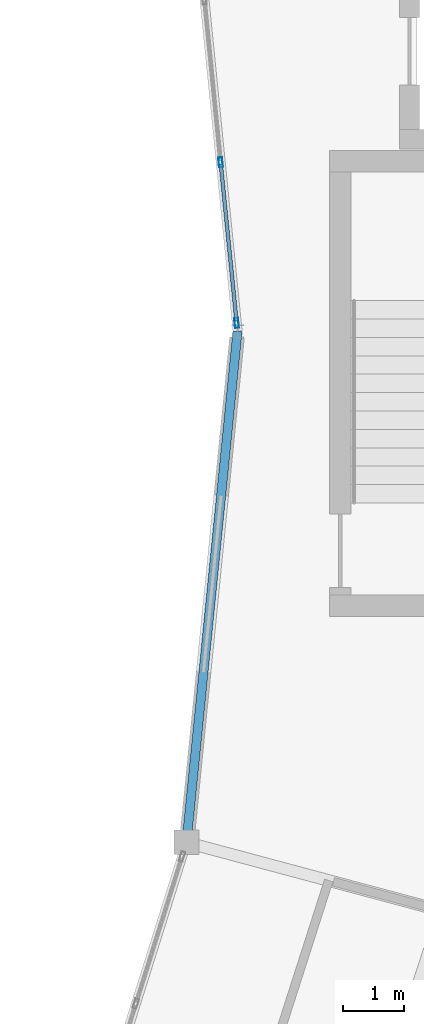
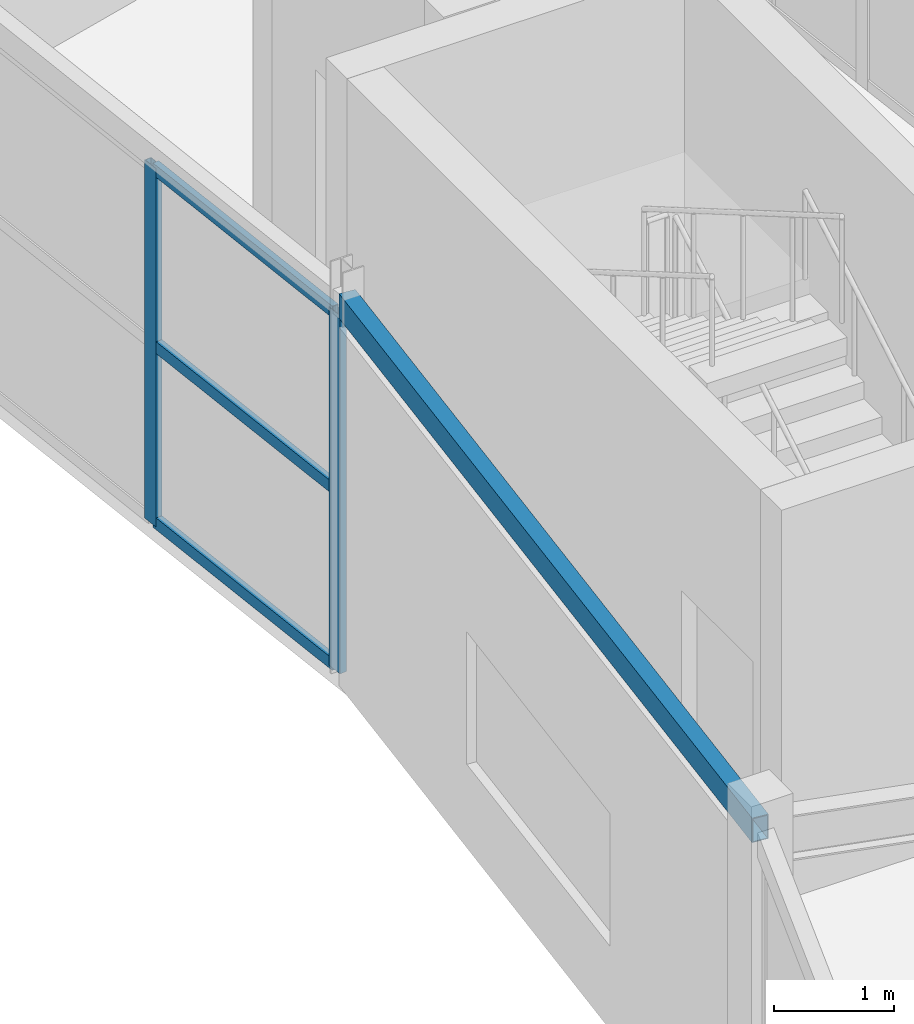
# One storey, part 71 of 157: 5 members, 1 beam, 1 element without a shape of its own.
"""IFC4 building model written with IfcOpenShell, lengths in metres."""

from ifc_helpers import new_model, si_unit, direction, frame, origin, origin_2d, place, context, subcontext, project, spatial, hollow_rectangle, extrude, material, material_profile, profile_set, type_object, element, aggregate, save


model = new_model("IFC4")

# Units and contexts
model_context = context("Model", 3, precision=1e-05, world=origin(), true_north=direction((0.0, 1.0)))
body_context = subcontext(model_context, "Body", "Model", "MODEL_VIEW")
ifc_project = project(units=[si_unit("LENGTHUNIT", "METRE"), si_unit("AREAUNIT", "SQUARE_METRE"), si_unit("VOLUMEUNIT", "CUBIC_METRE"), si_unit("PLANEANGLEUNIT", "RADIAN"), si_unit("MASSUNIT", "GRAM", prefix="KILO")], contexts=[model_context])

# Site, building, storey
site_placement = place(None, origin())
site = spatial("IfcSite", under=ifc_project, at=site_placement, CompositionType="ELEMENT")
building_placement = place(site_placement, origin())
building = spatial("IfcBuilding", under=site, at=building_placement, Name="Karori Crest Natural Sciences Institute", CompositionType="ELEMENT")
storey_placement = place(building_placement, frame((0.0, 0.0, 13.300048828125)))
storey = spatial("IfcBuildingStorey", under=building, at=storey_placement, Name="L03", CompositionType="ELEMENT", Elevation=13.300048828125)

# Beam
ifc_material_1 = material(Name="Hollow structural steel AS/NZS 1163 Grade C350", Category="steel")
ifc_material_profile_1 = material_profile(ifc_material_1, hollow_rectangle(XDim=0.14990234375, YDim=0.25, WallThickness=0.009033203125, at=origin_2d()), Name="RHS250x150x9")
ifc_profile_set_1 = profile_set([ifc_material_profile_1], Name="Hollow structural steel AS/NZS 1163 Grade C350")
beam_type = type_object("IfcBeamType", Name="BT-16", PredefinedType="SPANDREL", material=ifc_profile_set_1)
beam_placement = place(storey_placement, frame((89.968505859375, 41.56591796875, 3.7900390625), z_axis=(0.099284371237, 0.99505910057, 0.0), x_axis=(-0.99505910057, 0.099284371237, 0.0)))
element("IfcBeam", 1, at=beam_placement, inside=storey, type_object=beam_type, Name="Beam B-0449", PredefinedType="SPANDREL", context=body_context, shape_type="SweptSolid", body=[
    extrude(hollow_rectangle(XDim=0.14990234375, YDim=0.25, WallThickness=0.009033203125, at=origin_2d()), origin(), (0.0, 0.0, 1.0), 8.37548828125),
])

# Curtain wall, members
ifc_material_2 = material(Name="Anodised architectural aluminium 6063-T6", Category="aluminium")
curtain_wall_type = type_object("IfcCurtainWallType", Name="CWT-11", PredefinedType="NOTDEFINED", material=ifc_material_2)
curtain_wall_placement = place(storey_placement, origin())
curtain_wall = element("IfcCurtainWall", 2, at=curtain_wall_placement, inside=storey, type_object=curtain_wall_type, Name="Curtain wall CW-0101", PredefinedType="NOTDEFINED")
ifc_material_profile_2 = material_profile(ifc_material_2, hollow_rectangle(XDim=0.06494140625, YDim=0.159912109375, WallThickness=0.00390625, at=origin_2d()), Name="CWM160x65x4")
ifc_profile_set_2 = profile_set([ifc_material_profile_2], Name="Anodised architectural aluminium 6063-T6")
member_type_1 = type_object("IfcMemberType", Name="CWM-01", PredefinedType="MULLION", material=ifc_profile_set_2)
member_1_placement = place(storey_placement, frame((90.786376953125, 50.035400390625, 0.0), z_axis=(0.0, 0.0, 1.0), x_axis=(-0.995060684604, -0.099268494275, 0.0)))
member_1 = element("IfcMember", 3, at=member_1_placement, type_object=member_type_1, Name="CW-0101 mullion 1", PredefinedType="MULLION", context=body_context, shape_type="SweptSolid", body=[
    extrude(hollow_rectangle(XDim=0.06494140625, YDim=0.159912109375, WallThickness=0.00390625, at=origin_2d()), origin(), (0.0, 0.0, 1.0), 3.64990234375),
])
member_2_placement = place(storey_placement, frame((90.525146484375, 52.65576171875, 0.0), z_axis=(0.0, 0.0, 1.0), x_axis=(-0.995060684604, -0.099268494275, 0.0)))
member_2 = element("IfcMember", 4, at=member_2_placement, type_object=member_type_1, Name="CW-0101 mullion 2", PredefinedType="MULLION", context=body_context, shape_type="SweptSolid", body=[
    extrude(hollow_rectangle(XDim=0.06494140625, YDim=0.159912109375, WallThickness=0.00390625, at=origin_2d()), origin(), (0.0, 0.0, 1.0), 3.64990234375),
])
ifc_material_profile_3 = material_profile(ifc_material_2, hollow_rectangle(XDim=0.06005859375, YDim=0.1201171875, WallThickness=0.00390625, at=origin_2d()), Name="CWT120x60x4")
ifc_profile_set_3 = profile_set([ifc_material_profile_3], Name="Anodised architectural aluminium 6063-T6")
member_type_2 = type_object("IfcMemberType", Name="CWT-TR1", PredefinedType="USERDEFINED", material=ifc_profile_set_3)
member_3_placement = place(storey_placement, frame((90.783203125, 50.067626953125, 0.030029296875), z_axis=(-0.099240189366, 0.99506350793, 0.0), x_axis=(-0.99506350793, -0.099240189366, 0.0)))
member_3 = element("IfcMember", 5, at=member_3_placement, type_object=member_type_2, Name="CW-0101 transom 1.1", ObjectType="TRANSOM", PredefinedType="USERDEFINED", context=body_context, shape_type="SweptSolid", body=[
    extrude(hollow_rectangle(XDim=0.06005859375, YDim=0.1201171875, WallThickness=0.00390625, at=origin_2d()), origin(), (0.0, 0.0, 1.0), 2.568359375),
])
member_4_placement = place(storey_placement, frame((90.783203125, 50.067626953125, 1.824951171875), z_axis=(-0.099240189366, 0.99506350793, 0.0), x_axis=(-0.99506350793, -0.099240189366, 0.0)))
member_4 = element("IfcMember", 6, at=member_4_placement, type_object=member_type_2, Name="CW-0101 transom 1.2", ObjectType="TRANSOM", PredefinedType="USERDEFINED", context=body_context, shape_type="SweptSolid", body=[
    extrude(hollow_rectangle(XDim=0.06005859375, YDim=0.1201171875, WallThickness=0.00390625, at=origin_2d()), origin(), (0.0, 0.0, 1.0), 2.568359375),
])
member_5_placement = place(storey_placement, frame((90.783203125, 50.067626953125, 3.619873046875), z_axis=(-0.099240189366, 0.99506350793, 0.0), x_axis=(-0.99506350793, -0.099240189366, 0.0)))
member_5 = element("IfcMember", 7, at=member_5_placement, type_object=member_type_2, Name="CW-0101 transom 1.3", ObjectType="TRANSOM", PredefinedType="USERDEFINED", context=body_context, shape_type="SweptSolid", body=[
    extrude(hollow_rectangle(XDim=0.06005859375, YDim=0.1201171875, WallThickness=0.00390625, at=origin_2d()), origin(), (0.0, 0.0, 1.0), 2.568359375),
])
aggregate(curtain_wall, [member_1, member_2, member_3, member_4, member_5])

save(model, "model.ifc")
